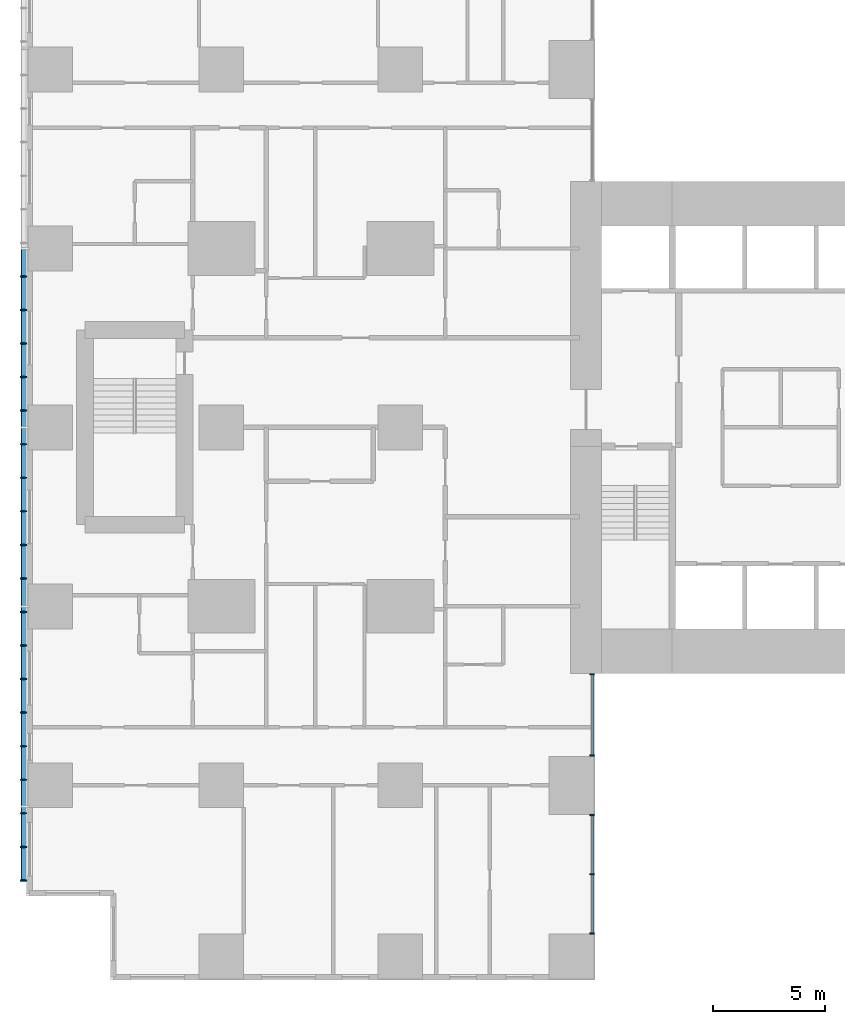
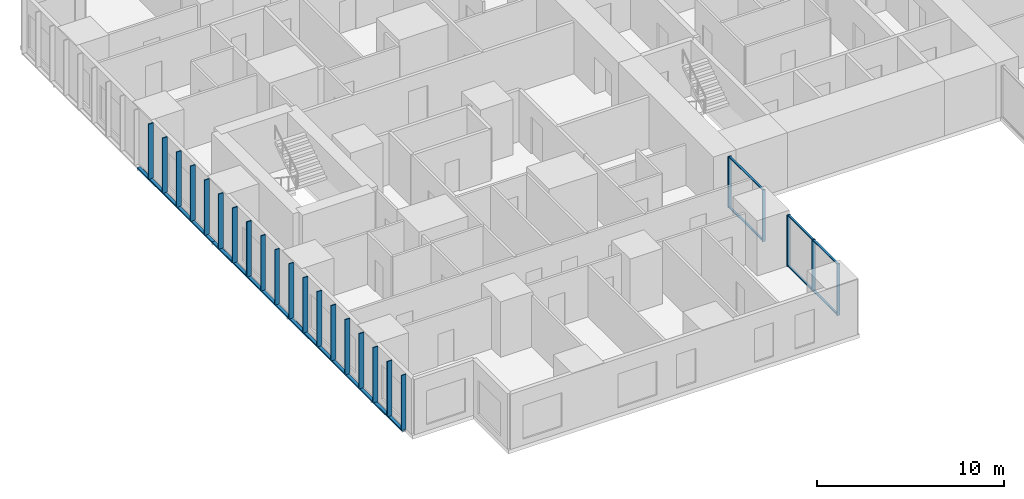
# One storey, part 2 of 20: 33 members, 2 elements without a shape of their own.
"""IFC4 building model written with IfcOpenShell, lengths in metres."""

from ifc_helpers import new_model, si_unit, direction, frame, origin, origin_2d, place, context, subcontext, project, spatial, rectangle, hollow_rectangle, extrude, material, layer, layer_set, material_profile, profile_set, type_object, element, aggregate, save


model = new_model("IFC4")

# Units and contexts
model_context = context("Model", 3, precision=1e-05, world=origin(), true_north=direction((0.0, 1.0)))
body_context = subcontext(model_context, "Body", "Model", "MODEL_VIEW")
ifc_project = project(units=[si_unit("LENGTHUNIT", "METRE"), si_unit("AREAUNIT", "SQUARE_METRE"), si_unit("VOLUMEUNIT", "CUBIC_METRE"), si_unit("PLANEANGLEUNIT", "RADIAN"), si_unit("MASSUNIT", "GRAM", prefix="KILO")], contexts=[model_context])

# Site, building, storey
site_placement = place(None, origin())
site = spatial("IfcSite", under=ifc_project, at=site_placement, CompositionType="ELEMENT")
building_placement = place(site_placement, origin())
building = spatial("IfcBuilding", under=site, at=building_placement, Name="Cleftline Residences", CompositionType="ELEMENT")
storey_placement = place(building_placement, frame((0.0, 0.0, 135.800048828125)))
storey = spatial("IfcBuildingStorey", under=building, at=storey_placement, Name="L35", CompositionType="ELEMENT", Elevation=135.800048828125)

# Members
ifc_material_1 = material(Name="Steel S355, hot-dip galvanised", Category="steel")
ifc_material_profile_1 = material_profile(ifc_material_1, hollow_rectangle(XDim=0.10009765625, YDim=0.199951171875, WallThickness=0.008056640625, InnerFilletRadius=0.008056640625, OuterFilletRadius=0.011962890625, at=origin_2d()))
ifc_profile_set_1 = profile_set([ifc_material_profile_1], Name="Steel S355, hot-dip galvanised")
member_type_1 = type_object("IfcMemberType", Name="BAGUETTE CARRIER RHS 200X100X8", PredefinedType="USERDEFINED", material=ifc_profile_set_1)
for number, where, z_axis, x_axis, name in (
    (1, (-0.85009765625, 32.0, -0.050048828125), (0.0, -1.0, 0.0), (0.0, 0.0, 1.0), "Baguette carrier"),
    (2, (-0.85009765625, 24.0, -0.050048828125), (0.0, -1.0, 0.0), (0.0, 0.0, 1.0), "Baguette carrier"),
):
    element("IfcMember", number, at=place(storey_placement, frame(where, z_axis=z_axis, x_axis=x_axis)), inside=storey, type_object=member_type_1, Name=name, ObjectType="BAGUETTE CARRIER", PredefinedType="USERDEFINED", context=body_context, shape_type="SweptSolid", body=[
        extrude(hollow_rectangle(XDim=0.10009765625, YDim=0.199951171875, WallThickness=0.008056640625, InnerFilletRadius=0.008056640625, OuterFilletRadius=0.011962890625, at=origin_2d()), origin(), (0.0, 0.0, 1.0), 8.0),
    ])
member_1_placement = place(storey_placement, frame((-0.85009765625, 16.0, -0.050048828125), z_axis=(0.0, -1.0, 0.0), x_axis=(0.0, 0.0, 1.0)))
element("IfcMember", 3, at=member_1_placement, inside=storey, type_object=member_type_1, Name="Baguette carrier", ObjectType="BAGUETTE CARRIER", PredefinedType="USERDEFINED", context=body_context, shape_type="SweptSolid", body=[
    extrude(hollow_rectangle(XDim=0.10009765625, YDim=0.199951171875, WallThickness=0.008056640625, InnerFilletRadius=0.008056640625, OuterFilletRadius=0.011962890625, at=origin_2d()), origin(), (0.0, 0.0, 1.0), 12.300048828125),
])

# Curtain wall, members
ifc_material_2 = material(Name="Aluminium framed curtain wall", Category="aluminium")
ifc_layer = layer(ifc_material_2, 0.199951171875)
ifc_layer_set = layer_set([ifc_layer], Name="CW1 CLEFT GLAZING")
curtain_wall_type = type_object("IfcCurtainWallType", Name="CW1 CLEFT GLAZING", PredefinedType="NOTDEFINED", material=ifc_layer_set)
curtain_wall_1_placement = place(storey_placement, origin())
curtain_wall_1 = element("IfcCurtainWall", 4, at=curtain_wall_1_placement, inside=storey, type_object=curtain_wall_type, Name="Curtain wall CW1", PredefinedType="NOTDEFINED")
ifc_material_3 = material(Name="Aluminium mullion", Category="aluminium")
ifc_material_profile_2 = material_profile(ifc_material_3, rectangle(XDim=0.199951171875, YDim=0.06005859375, at=origin_2d()))
ifc_profile_set_2 = profile_set([ifc_material_profile_2], Name="Aluminium mullion")
member_type_2 = type_object("IfcMemberType", Name="CW1 MULLION", PredefinedType="MULLION", material=ifc_profile_set_2)
member_2_placement = place(storey_placement, frame((24.574951171875, 1.3798828125, 0.0), z_axis=(0.0, 0.0, 1.0), x_axis=(-1.0, 0.0, 0.0)))
member_2 = element("IfcMember", 5, at=member_2_placement, type_object=member_type_2, Name="CW1 mullion 1", PredefinedType="MULLION", context=body_context, shape_type="SweptSolid", body=[
    extrude(rectangle(XDim=0.199951171875, YDim=0.06005859375, at=origin_2d()), origin(), (0.0, 0.0, 1.0), 3.349853515625),
])
member_3_placement = place(storey_placement, frame((24.574951171875, 4.02490234375, 0.0), z_axis=(0.0, 0.0, 1.0), x_axis=(-1.0, 0.0, 0.0)))
member_3 = element("IfcMember", 6, at=member_3_placement, type_object=member_type_2, Name="CW1 mullion 2", PredefinedType="MULLION", context=body_context, shape_type="SweptSolid", body=[
    extrude(rectangle(XDim=0.199951171875, YDim=0.06005859375, at=origin_2d()), origin(), (0.0, 0.0, 1.0), 3.349853515625),
])
member_4_placement = place(storey_placement, frame((24.574951171875, 6.669921875, 0.0), z_axis=(0.0, 0.0, 1.0), x_axis=(-1.0, 0.0, 0.0)))
member_4 = element("IfcMember", 7, at=member_4_placement, type_object=member_type_2, Name="CW1 mullion 3", PredefinedType="MULLION", context=body_context, shape_type="SweptSolid", body=[
    extrude(rectangle(XDim=0.199951171875, YDim=0.06005859375, at=origin_2d()), origin(), (0.0, 0.0, 1.0), 3.349853515625),
])

curtain_wall_2_placement = place(storey_placement, origin())
curtain_wall_2 = element("IfcCurtainWall", 8, at=curtain_wall_2_placement, inside=storey, type_object=curtain_wall_type, Name="Curtain wall CW1", PredefinedType="NOTDEFINED")
member_5_placement = place(storey_placement, frame((24.574951171875, 9.330078125, 0.0), z_axis=(0.0, 0.0, 1.0), x_axis=(-1.0, 0.0, 0.0)))
member_5 = element("IfcMember", 9, at=member_5_placement, type_object=member_type_2, Name="CW1 mullion 1", PredefinedType="MULLION", context=body_context, shape_type="SweptSolid", body=[
    extrude(rectangle(XDim=0.199951171875, YDim=0.06005859375, at=origin_2d()), origin(), (0.0, 0.0, 1.0), 3.349853515625),
])
member_6_placement = place(storey_placement, frame((24.574951171875, 12.969970703125, 0.0), z_axis=(0.0, 0.0, 1.0), x_axis=(-1.0, 0.0, 0.0)))
member_6 = element("IfcMember", 10, at=member_6_placement, type_object=member_type_2, Name="CW1 mullion 2", PredefinedType="MULLION", context=body_context, shape_type="SweptSolid", body=[
    extrude(rectangle(XDim=0.199951171875, YDim=0.06005859375, at=origin_2d()), origin(), (0.0, 0.0, 1.0), 3.349853515625),
])

# Member
ifc_material_4 = material(Name="Aluminium transom", Category="aluminium")
ifc_material_profile_3 = material_profile(ifc_material_4, rectangle(XDim=0.1201171875, YDim=0.06005859375, at=origin_2d()))
ifc_profile_set_3 = profile_set([ifc_material_profile_3], Name="Aluminium transom")
member_type_3 = type_object("IfcMemberType", Name="CW1 TRANSOM", PredefinedType="USERDEFINED", material=ifc_profile_set_3)
member_7_placement = place(storey_placement, frame((24.574951171875, 1.409912109375, 0.030029296875), z_axis=(0.0, 1.0, 0.0), x_axis=(-1.0, 0.0, 0.0)))
member_7 = element("IfcMember", 11, at=member_7_placement, type_object=member_type_3, Name="CW1 transom 1.1", ObjectType="TRANSOM", PredefinedType="USERDEFINED", context=body_context, shape_type="SweptSolid", body=[
    extrude(rectangle(XDim=0.1201171875, YDim=0.06005859375, at=origin_2d()), origin(), (0.0, 0.0, 1.0), 2.585205078125),
])

member_8_placement = place(storey_placement, frame((24.574951171875, 1.409912109375, 3.320068359375), z_axis=(0.0, 1.0, 0.0), x_axis=(-1.0, 0.0, 0.0)))
member_8 = element("IfcMember", 12, at=member_8_placement, type_object=member_type_3, Name="CW1 transom 1.2", ObjectType="TRANSOM", PredefinedType="USERDEFINED", context=body_context, shape_type="SweptSolid", body=[
    extrude(rectangle(XDim=0.1201171875, YDim=0.06005859375, at=origin_2d()), origin(), (0.0, 0.0, 1.0), 2.585205078125),
])

member_9_placement = place(storey_placement, frame((24.574951171875, 4.054931640625, 0.030029296875), z_axis=(0.0, 1.0, 0.0), x_axis=(-1.0, 0.0, 0.0)))
member_9 = element("IfcMember", 13, at=member_9_placement, type_object=member_type_3, Name="CW1 transom 2.1", ObjectType="TRANSOM", PredefinedType="USERDEFINED", context=body_context, shape_type="SweptSolid", body=[
    extrude(rectangle(XDim=0.1201171875, YDim=0.06005859375, at=origin_2d()), origin(), (0.0, 0.0, 1.0), 2.5849609375),
])

member_10_placement = place(storey_placement, frame((24.574951171875, 4.054931640625, 3.320068359375), z_axis=(0.0, 1.0, 0.0), x_axis=(-1.0, 0.0, 0.0)))
member_10 = element("IfcMember", 14, at=member_10_placement, type_object=member_type_3, Name="CW1 transom 2.2", ObjectType="TRANSOM", PredefinedType="USERDEFINED", context=body_context, shape_type="SweptSolid", body=[
    extrude(rectangle(XDim=0.1201171875, YDim=0.06005859375, at=origin_2d()), origin(), (0.0, 0.0, 1.0), 2.5849609375),
])

aggregate(curtain_wall_1, [member_2, member_3, member_4, member_7, member_8, member_9, member_10])

member_11_placement = place(storey_placement, frame((24.574951171875, 9.360107421875, 0.030029296875), z_axis=(0.0, 1.0, 0.0), x_axis=(-1.0, 0.0, 0.0)))
member_11 = element("IfcMember", 15, at=member_11_placement, type_object=member_type_3, Name="CW1 transom 1.1", ObjectType="TRANSOM", PredefinedType="USERDEFINED", context=body_context, shape_type="SweptSolid", body=[
    extrude(rectangle(XDim=0.1201171875, YDim=0.06005859375, at=origin_2d()), origin(), (0.0, 0.0, 1.0), 3.579833984375),
])

member_12_placement = place(storey_placement, frame((24.574951171875, 9.360107421875, 3.320068359375), z_axis=(0.0, 1.0, 0.0), x_axis=(-1.0, 0.0, 0.0)))
member_12 = element("IfcMember", 16, at=member_12_placement, type_object=member_type_3, Name="CW1 transom 1.2", ObjectType="TRANSOM", PredefinedType="USERDEFINED", context=body_context, shape_type="SweptSolid", body=[
    extrude(rectangle(XDim=0.1201171875, YDim=0.06005859375, at=origin_2d()), origin(), (0.0, 0.0, 1.0), 3.579833984375),
])

aggregate(curtain_wall_2, [member_5, member_6, member_11, member_12])

# Members
ifc_material_5 = material(Name="Extruded terracotta", Category="masonry")
ifc_material_profile_4 = material_profile(ifc_material_5, rectangle(XDim=0.06005859375, YDim=0.300048828125, at=origin_2d()))
ifc_profile_set_4 = profile_set([ifc_material_profile_4], Name="Extruded terracotta")
member_type_4 = type_object("IfcMemberType", Name="TERRACOTTA BAGUETTE 60X300", PredefinedType="USERDEFINED", material=ifc_profile_set_4)
for number, where, z_axis, x_axis, name in (
    (17, (-0.85009765625, 30.75, 0.0), (0.0, 0.0, 1.0), (0.0, 1.0, 0.0), "Terracotta baguette"),
    (18, (-0.85009765625, 29.25, 0.0), (0.0, 0.0, 1.0), (0.0, 1.0, 0.0), "Terracotta baguette"),
    (19, (-0.85009765625, 27.75, 0.0), (0.0, 0.0, 1.0), (0.0, 1.0, 0.0), "Terracotta baguette"),
    (20, (-0.85009765625, 26.25, 0.0), (0.0, 0.0, 1.0), (0.0, 1.0, 0.0), "Terracotta baguette"),
    (21, (-0.85009765625, 24.75, 0.0), (0.0, 0.0, 1.0), (0.0, 1.0, 0.0), "Terracotta baguette"),
    (22, (-0.85009765625, 23.25, 0.0), (0.0, 0.0, 1.0), (0.0, 1.0, 0.0), "Terracotta baguette"),
    (23, (-0.85009765625, 21.75, 0.0), (0.0, 0.0, 1.0), (0.0, 1.0, 0.0), "Terracotta baguette"),
    (24, (-0.85009765625, 20.25, 0.0), (0.0, 0.0, 1.0), (0.0, 1.0, 0.0), "Terracotta baguette"),
    (25, (-0.85009765625, 18.75, 0.0), (0.0, 0.0, 1.0), (0.0, 1.0, 0.0), "Terracotta baguette"),
    (26, (-0.85009765625, 17.25, 0.0), (0.0, 0.0, 1.0), (0.0, 1.0, 0.0), "Terracotta baguette"),
    (27, (-0.85009765625, 15.75, 0.0), (0.0, 0.0, 1.0), (0.0, 1.0, 0.0), "Terracotta baguette"),
    (28, (-0.85009765625, 14.25, 0.0), (0.0, 0.0, 1.0), (0.0, 1.0, 0.0), "Terracotta baguette"),
    (29, (-0.85009765625, 12.75, 0.0), (0.0, 0.0, 1.0), (0.0, 1.0, 0.0), "Terracotta baguette"),
    (30, (-0.85009765625, 11.25, 0.0), (0.0, 0.0, 1.0), (0.0, 1.0, 0.0), "Terracotta baguette"),
    (31, (-0.85009765625, 9.75, 0.0), (0.0, 0.0, 1.0), (0.0, 1.0, 0.0), "Terracotta baguette"),
    (32, (-0.85009765625, 8.25, 0.0), (0.0, 0.0, 1.0), (0.0, 1.0, 0.0), "Terracotta baguette"),
    (33, (-0.85009765625, 6.75, 0.0), (0.0, 0.0, 1.0), (0.0, 1.0, 0.0), "Terracotta baguette"),
    (34, (-0.85009765625, 5.25, 0.0), (0.0, 0.0, 1.0), (0.0, 1.0, 0.0), "Terracotta baguette"),
    (35, (-0.85009765625, 3.75, 0.0), (0.0, 0.0, 1.0), (0.0, 1.0, 0.0), "Terracotta baguette"),
):
    element("IfcMember", number, at=place(storey_placement, frame(where, z_axis=z_axis, x_axis=x_axis)), inside=storey, type_object=member_type_4, Name=name, ObjectType="BAGUETTE", PredefinedType="USERDEFINED", context=body_context, shape_type="SweptSolid", body=[
        extrude(rectangle(XDim=0.06005859375, YDim=0.300048828125, at=origin_2d()), origin(), (0.0, 0.0, 1.0), 3.599853515625),
    ])

save(model, "model.ifc")
